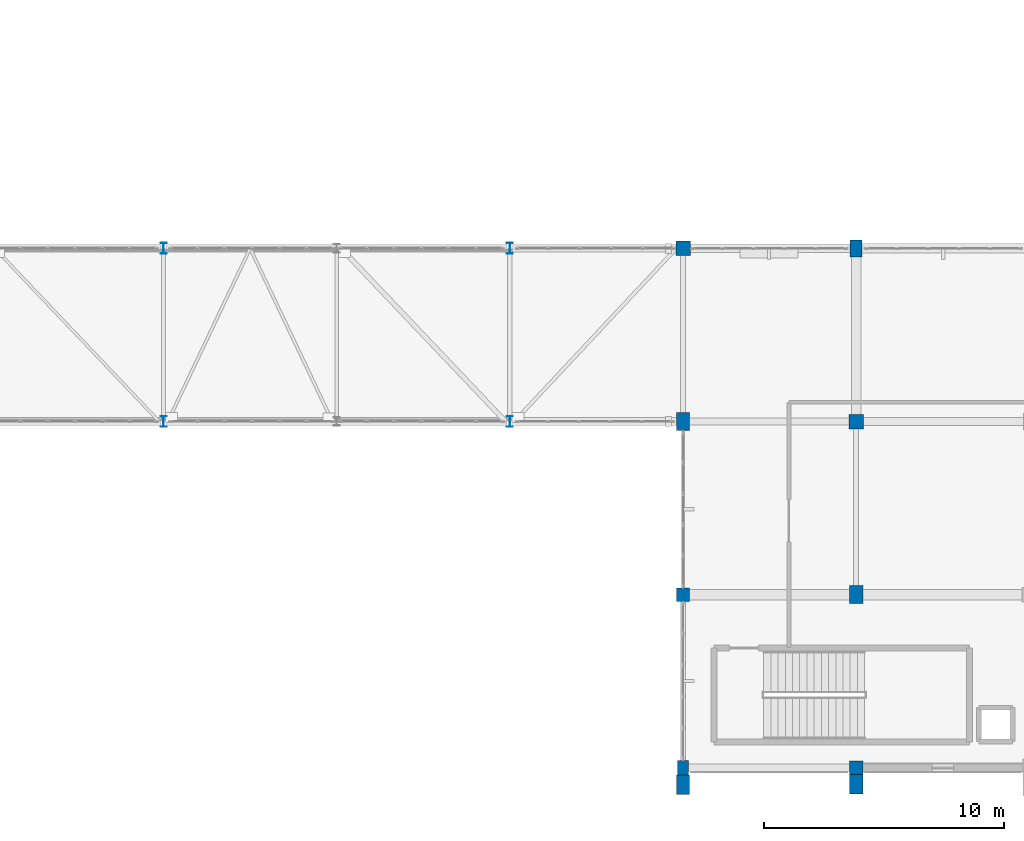
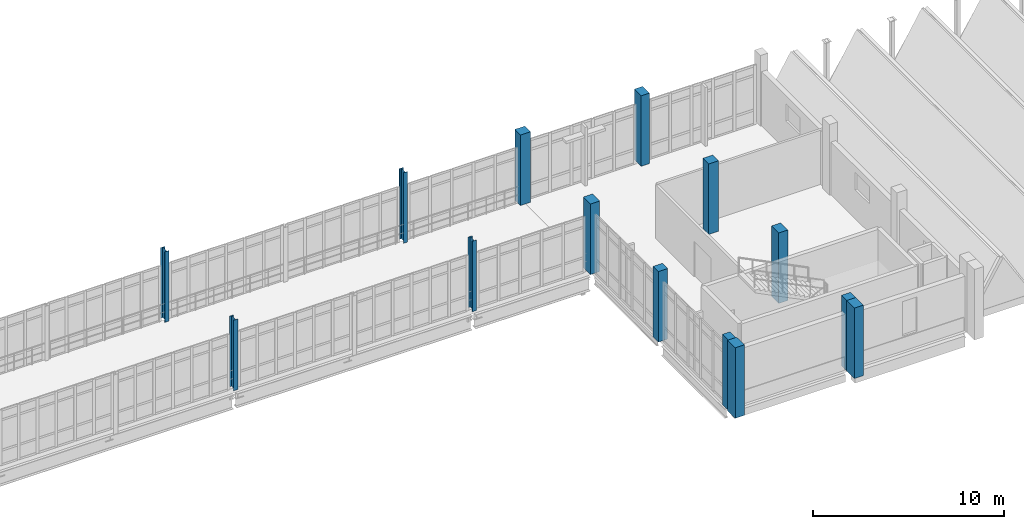
# One storey, part 5 of 124: 14 columns.
"""IFC4 building model written with IfcOpenShell, lengths in metres."""

from ifc_helpers import new_model, si_unit, direction, frame, origin, origin_2d, place, context, subcontext, project, spatial, rectangle, i_section, extrude, material, material_profile, profile_set, type_object, element, save


model = new_model("IFC4")

# Units and contexts
model_context = context("Model", 3, precision=1e-05, world=origin(), true_north=direction((0.0, 1.0)))
body_context = subcontext(model_context, "Body", "Model", "MODEL_VIEW")
ifc_project = project(units=[si_unit("LENGTHUNIT", "METRE"), si_unit("AREAUNIT", "SQUARE_METRE"), si_unit("VOLUMEUNIT", "CUBIC_METRE"), si_unit("PLANEANGLEUNIT", "RADIAN"), si_unit("MASSUNIT", "GRAM", prefix="KILO")], contexts=[model_context])

# Site, building, storey
site_placement = place(None, origin())
site = spatial("IfcSite", under=ifc_project, at=site_placement, CompositionType="ELEMENT")
building_placement = place(site_placement, origin())
building = spatial("IfcBuilding", under=site, at=building_placement, Name="Kalluvel Institute of Natural Sciences", CompositionType="ELEMENT")
storey_placement = place(building_placement, frame((0.0, 0.0, 9.89990234375)))
storey = spatial("IfcBuildingStorey", under=building, at=storey_placement, Name="L02", CompositionType="ELEMENT", Elevation=9.89990234375)

# Columns
ifc_material_1 = material(Name="Steel E350 Grade 350", Category="steel")
ifc_material_profile_1 = material_profile(ifc_material_1, i_section(OverallWidth=0.25, OverallDepth=0.449951171875, WebThickness=0.01123046875, FlangeThickness=0.013671875, FilletRadius=0.013916015625, at=origin_2d()), Name="ISHB 450")
ifc_profile_set_1 = profile_set([ifc_material_profile_1], Name="Steel E350 Grade 350")
column_type_1 = type_object("IfcColumnType", Name="COL-ISHB450", PredefinedType="COLUMN", material=ifc_profile_set_1)
for number, where, z_axis, x_axis, name in (
    (1, (78.800048828125, 28.39990234375, 0.0), (0.0, 0.0, 1.0), (1.0, 0.0, 0.0), "L02 structural column COL-L02-X788-Y284"),
    (2, (78.800048828125, 35.60009765625, 0.0), (0.0, 0.0, 1.0), (1.0, 0.0, 0.0), "L02 structural column COL-L02-X788-Y356"),
    (3, (93.199951171875, 28.39990234375, 0.0), (0.0, 0.0, 1.0), (1.0, 0.0, 0.0), "L02 structural column COL-L02-X932-Y284"),
    (4, (93.199951171875, 35.60009765625, 0.0), (0.0, 0.0, 1.0), (1.0, 0.0, 0.0), "L02 structural column COL-L02-X932-Y356"),
):
    element("IfcColumn", number, at=place(storey_placement, frame(where, z_axis=z_axis, x_axis=x_axis)), inside=storey, type_object=column_type_1, Name=name, PredefinedType="COLUMN", context=body_context, shape_type="SweptSolid", body=[
        extrude(i_section(OverallWidth=0.25, OverallDepth=0.449951171875, WebThickness=0.01123046875, FlangeThickness=0.013671875, FilletRadius=0.013916015625, at=origin_2d()), origin(), (0.0, 0.0, 1.0), 4.5),
    ])
ifc_material_2 = material(Name="Concrete M40", Category="concrete")
ifc_material_profile_2 = material_profile(ifc_material_2, rectangle(XDim=0.449951171875, YDim=0.60009765625, at=origin_2d()), Name="RC 450x600")
ifc_profile_set_2 = profile_set([ifc_material_profile_2], Name="Concrete M40")
column_type_2 = type_object("IfcColumnType", Name="COL-RC450x600", PredefinedType="COLUMN", material=ifc_profile_set_2)
column_1_placement = place(storey_placement, frame((100.39990234375, 14.0, 0.0), z_axis=(0.0, 0.0, 1.0), x_axis=(1.0, 0.0, 0.0)))
element("IfcColumn", 5, at=column_1_placement, inside=storey, type_object=column_type_2, Name="L02 structural column COL-L02-X1004-Y140", PredefinedType="COLUMN", context=body_context, shape_type="SweptSolid", body=[
    extrude(rectangle(XDim=0.449951171875, YDim=0.60009765625, at=origin_2d()), origin(), (0.0, 0.0, 1.0), 4.5),
])
ifc_material_profile_3 = material_profile(ifc_material_2, rectangle(XDim=0.5, YDim=0.699951171875, at=origin_2d()), Name="RC 500x700")
ifc_profile_set_3 = profile_set([ifc_material_profile_3], Name="Concrete M40")
column_type_3 = type_object("IfcColumnType", Name="COL-RC500x700", PredefinedType="COLUMN", material=ifc_profile_set_3)
column_2_placement = place(storey_placement, frame((107.60009765625, 35.60009765625, 0.0), z_axis=(0.0, 0.0, 1.0), x_axis=(1.0, 0.0, 0.0)))
element("IfcColumn", 6, at=column_2_placement, inside=storey, type_object=column_type_3, Name="L02 structural column COL-L02-X1076-Y356", PredefinedType="COLUMN", context=body_context, shape_type="SweptSolid", body=[
    extrude(rectangle(XDim=0.5, YDim=0.699951171875, at=origin_2d()), origin(), (0.0, 0.0, 1.0), 4.5),
])
ifc_material_profile_4 = material_profile(ifc_material_2, rectangle(XDim=0.550048828125, YDim=0.550048828125, at=origin_2d()), Name="RC 550x550")
ifc_profile_set_4 = profile_set([ifc_material_profile_4], Name="Concrete M40")
column_type_4 = type_object("IfcColumnType", Name="COL-RC550", PredefinedType="COLUMN", material=ifc_profile_set_4)
for number, where, z_axis, x_axis, name in (
    (7, (100.39990234375, 21.199951171875, 0.0), (0.0, 0.0, 1.0), (1.0, 0.0, 0.0), "L02 structural column COL-L02-X1004-Y212"),
    (8, (107.60009765625, 14.0, 0.0), (0.0, 0.0, 1.0), (1.0, 0.0, 0.0), "L02 structural column COL-L02-X1076-Y140"),
):
    element("IfcColumn", number, at=place(storey_placement, frame(where, z_axis=z_axis, x_axis=x_axis)), inside=storey, type_object=column_type_4, Name=name, PredefinedType="COLUMN", context=body_context, shape_type="SweptSolid", body=[
        extrude(rectangle(XDim=0.550048828125, YDim=0.550048828125, at=origin_2d()), origin(), (0.0, 0.0, 1.0), 4.5),
    ])
ifc_material_profile_5 = material_profile(ifc_material_2, rectangle(XDim=0.550048828125, YDim=0.75, at=origin_2d()), Name="RC 550x750")
ifc_profile_set_5 = profile_set([ifc_material_profile_5], Name="Concrete M40")
column_type_5 = type_object("IfcColumnType", Name="COL-RC550x750", PredefinedType="COLUMN", material=ifc_profile_set_5)
for number, where, z_axis, x_axis, name in (
    (9, (100.39990234375, 28.39990234375, 0.0), (0.0, 0.0, 1.0), (1.0, 0.0, 0.0), "L02 structural column COL-L02-X1004-Y284"),
    (10, (107.60009765625, 21.199951171875, 0.0), (0.0, 0.0, 1.0), (1.0, 0.0, 0.0), "L02 structural column COL-L02-X1076-Y212"),
):
    element("IfcColumn", number, at=place(storey_placement, frame(where, z_axis=z_axis, x_axis=x_axis)), inside=storey, type_object=column_type_5, Name=name, PredefinedType="COLUMN", context=body_context, shape_type="SweptSolid", body=[
        extrude(rectangle(XDim=0.550048828125, YDim=0.75, at=origin_2d()), origin(), (0.0, 0.0, 1.0), 4.5),
    ])
ifc_material_profile_6 = material_profile(ifc_material_2, rectangle(XDim=0.60009765625, YDim=0.60009765625, at=origin_2d()), Name="RC 600x600")
ifc_profile_set_6 = profile_set([ifc_material_profile_6], Name="Concrete M40")
column_type_6 = type_object("IfcColumnType", Name="COL-RC600", PredefinedType="COLUMN", material=ifc_profile_set_6)
for number, where, z_axis, x_axis, name in (
    (11, (100.39990234375, 35.60009765625, 0.0), (0.0, 0.0, 1.0), (1.0, 0.0, 0.0), "L02 structural column COL-L02-X1004-Y356"),
    (12, (107.60009765625, 28.39990234375, 0.0), (0.0, 0.0, 1.0), (1.0, 0.0, 0.0), "L02 structural column COL-L02-X1076-Y284"),
):
    element("IfcColumn", number, at=place(storey_placement, frame(where, z_axis=z_axis, x_axis=x_axis)), inside=storey, type_object=column_type_6, Name=name, PredefinedType="COLUMN", context=body_context, shape_type="SweptSolid", body=[
        extrude(rectangle(XDim=0.60009765625, YDim=0.60009765625, at=origin_2d()), origin(), (0.0, 0.0, 1.0), 4.5),
    ])
ifc_material_3 = material(Name="Sadarahalli Granite Precast Concrete M45", Category="masonry")
ifc_material_profile_7 = material_profile(ifc_material_3, rectangle(XDim=0.550048828125, YDim=0.800048828125, at=origin_2d()), Name="PIL 550x800")
ifc_profile_set_7 = profile_set([ifc_material_profile_7], Name="Sadarahalli Granite Precast Concrete M45")
column_type_7 = type_object("IfcColumnType", Name="PIL-550x800", PredefinedType="PILASTER", material=ifc_profile_set_7)
for number, where, z_axis, x_axis, name in (
    (13, (100.39990234375, 13.297119140625, 0.0), (0.0, 0.0, 1.0), (1.0, 0.0, 0.0), "L02 Lecture and Commons Gothic stone buttress 136"),
    (14, (107.60009765625, 13.322021484375, 0.0), (0.0, 0.0, 1.0), (1.0, 0.0, 0.0), "L02 Lecture and Commons Gothic stone buttress 141"),
):
    element("IfcColumn", number, at=place(storey_placement, frame(where, z_axis=z_axis, x_axis=x_axis)), inside=storey, type_object=column_type_7, Name=name, PredefinedType="PILASTER", context=body_context, shape_type="SweptSolid", body=[
        extrude(rectangle(XDim=0.550048828125, YDim=0.800048828125, at=origin_2d()), origin(), (0.0, 0.0, 1.0), 4.5),
    ])

save(model, "model.ifc")
